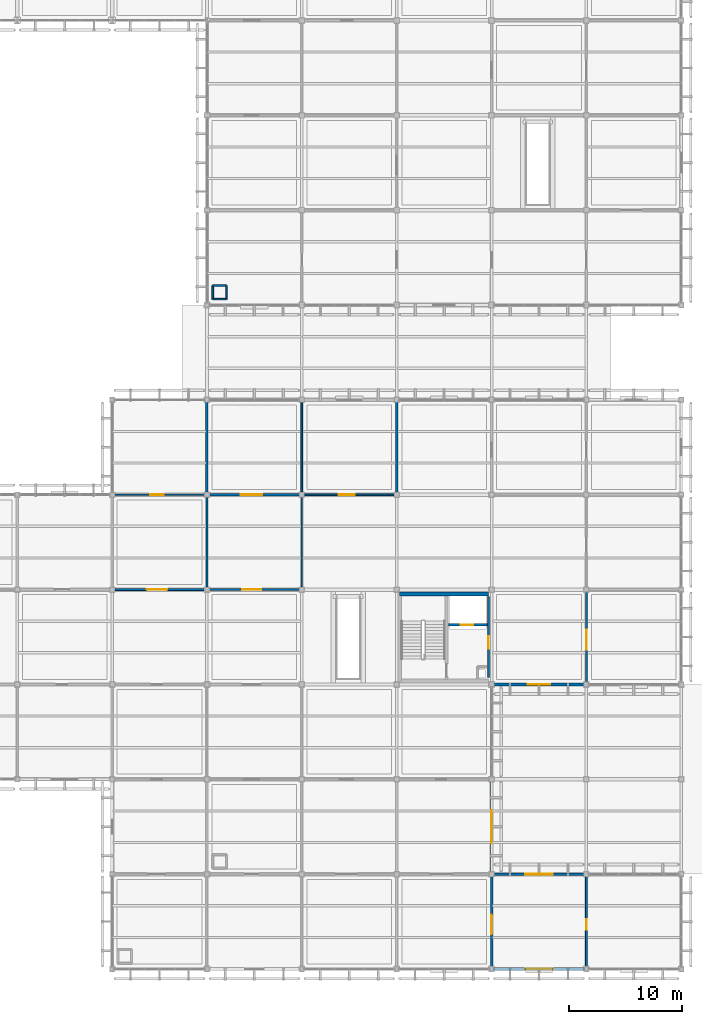
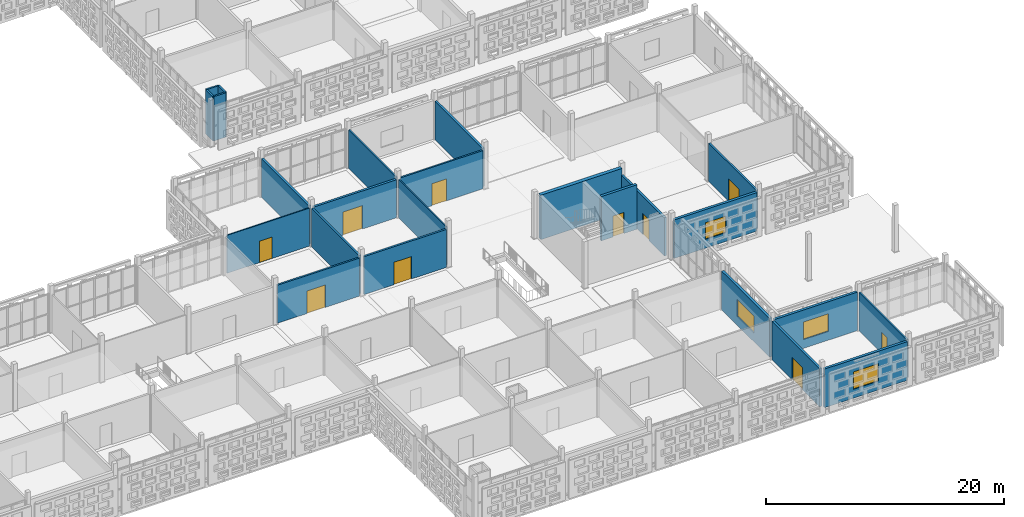
# One storey, part 125 of 203: 24 walls, 10 doors, 4 windows, 14 openings.
"""IFC4 building model written with IfcOpenShell, lengths in metres."""

from ifc_helpers import new_model, si_unit, direction, frame, frame_2d, origin, place, context, subcontext, project, spatial, rectangle, extrude, material, layer, layer_set, type_object, element, fill, save


model = new_model("IFC4")

# Units and contexts
model_context = context("Model", 3, precision=1e-05, world=origin(), true_north=direction((0.0, 1.0)))
body_context = subcontext(model_context, "Body", "Model", "MODEL_VIEW")
ifc_project = project(units=[si_unit("LENGTHUNIT", "METRE"), si_unit("AREAUNIT", "SQUARE_METRE"), si_unit("VOLUMEUNIT", "CUBIC_METRE"), si_unit("PLANEANGLEUNIT", "RADIAN"), si_unit("MASSUNIT", "GRAM", prefix="KILO")], contexts=[model_context])

# Site, building, storey
site_placement = place(None, origin())
site = spatial("IfcSite", under=ifc_project, at=site_placement, CompositionType="ELEMENT")
building_placement = place(site_placement, origin())
building = spatial("IfcBuilding", under=site, at=building_placement, Name="Varnapada Polytechnic", CompositionType="ELEMENT")
storey_placement = place(building_placement, frame((0.0, 0.0, 4.800048828125)))
storey = spatial("IfcBuildingStorey", under=building, at=storey_placement, Name="L01", CompositionType="ELEMENT", Elevation=4.800048828125)

# Wall, opening, door
ifc_material_1 = material(Name="Autoclaved Aerated Concrete Block AAC-600", Category="concrete")
ifc_layer_1 = layer(ifc_material_1, 0.199951171875)
ifc_layer_set_1 = layer_set([ifc_layer_1], Name="Autoclaved Aerated Concrete Block AAC-600")
wall_type_1 = type_object("IfcWallType", Name="Interior Wall IW-01", PredefinedType="PARTITIONING", material=ifc_layer_set_1)
wall_1_placement = place(storey_placement, frame((159.340087890625, 33.0, 0.0), z_axis=(0.0, 0.0, 1.0), x_axis=(0.0, -1.0, 0.0)))
wall_1 = element("IfcWall", 1, at=wall_1_placement, inside=storey, type_object=wall_type_1, Name="L01 C6 firefighting lobby east wall", PredefinedType="PARTITIONING", context=body_context, shape_type="SweptSolid", body=[
    extrude(rectangle(XDim=7.199951171875, YDim=0.199951171875, at=frame_2d((3.60009765625, 0.0))), origin(), (0.0, 0.0, 1.0), 3.919921875),
])
opening_1_placement = place(wall_1_placement, frame((3.550048828125, 0.0, 0.0)))
opening_1 = element("IfcOpeningElement", 2, at=opening_1_placement, cuts=wall_1, Name="Opening D-953", PredefinedType="OPENING", context=body_context, shape_type="SweptSolid", body=[
    extrude(rectangle(XDim=1.10009765625, YDim=2.14990234375, at=frame_2d((0.550048828125, 1.074951171875))), frame((0.0, 0.10986328125, 0.0), z_axis=(0.0, -1.0, 0.0), x_axis=(1.0, 0.0, 0.0)), (0.0, 0.0, 1.0), 0.219970703125),
])
ifc_material_2 = material(Name="Galvanized Steel Z275", Category="steel")
door_type_1 = type_object("IfcDoorType", Name="Interior Door ID-01", OperationType="NOTDEFINED", PredefinedType="DOOR", material=ifc_material_2)
door_1_placement = place(opening_1_placement, frame((1.10009765625, 0.0, 0.0), z_axis=(0.0, 0.0, 1.0), x_axis=(-1.0, 0.0, 0.0)))
door_1 = element("IfcDoor", 3, at=door_1_placement, inside=storey, type_object=door_type_1, Name="L01 C6 lobby fire door D-953", OperationType="SINGLE_SWING_LEFT", OverallHeight=2.14990234375, OverallWidth=1.10009765625, PredefinedType="DOOR", context=body_context, shape_type="SweptSolid", body=[
    extrude(rectangle(XDim=1.10009765625, YDim=2.14990234375, at=frame_2d((0.550048828125, 1.074951171875))), frame((0.0, 0.02490234375, 0.0), z_axis=(0.0, -1.0, 0.0), x_axis=(1.0, 0.0, 0.0)), (0.0, 0.0, 1.0), 0.050048828125),
])
fill(opening_1, door_1)

# Walls
ifc_layer_2 = layer(ifc_material_1, 0.14990234375)
ifc_layer_set_2 = layer_set([ifc_layer_2], Name="Autoclaved Aerated Concrete Block AAC-600")
wall_type_2 = type_object("IfcWallType", Name="Interior Wall IW-02", PredefinedType="PARTITIONING", material=ifc_layer_set_2)
wall_2_placement = place(storey_placement, frame((134.919921875, 59.320068359375, 0.0), z_axis=(0.0, 0.0, 1.0), x_axis=(1.0, 0.0, 0.0)))
element("IfcWall", 4, at=wall_2_placement, inside=storey, type_object=wall_type_2, Name="L01 enclosed service riser wall (17,8) S", PredefinedType="PARTITIONING", context=body_context, shape_type="SweptSolid", body=[
    extrude(rectangle(XDim=1.2001953125, YDim=0.14990234375, at=frame_2d((0.60009765625, 0.0))), origin(), (0.0, 0.0, 1.0), 4.550048828125),
])
wall_3_placement = place(storey_placement, frame((136.1201171875, 59.320068359375, 0.0), z_axis=(0.0, 0.0, 1.0), x_axis=(0.0, 1.0, 0.0)))
element("IfcWall", 5, at=wall_3_placement, inside=storey, type_object=wall_type_2, Name="L01 enclosed service riser wall (17,8) E", PredefinedType="PARTITIONING", context=body_context, shape_type="SweptSolid", body=[
    extrude(rectangle(XDim=1.199951171875, YDim=0.14990234375, at=frame_2d((0.60009765625, 0.0))), origin(), (0.0, 0.0, 1.0), 4.550048828125),
])
wall_4_placement = place(storey_placement, frame((136.1201171875, 60.52001953125, 0.0), z_axis=(0.0, 0.0, 1.0), x_axis=(-1.0, 0.0, 0.0)))
element("IfcWall", 6, at=wall_4_placement, inside=storey, type_object=wall_type_2, Name="L01 enclosed service riser wall (17,8) N", PredefinedType="PARTITIONING", context=body_context, shape_type="SweptSolid", body=[
    extrude(rectangle(XDim=1.2001953125, YDim=0.14990234375, at=frame_2d((0.60009765625, 0.0))), origin(), (0.0, 0.0, 1.0), 4.550048828125),
])
wall_5_placement = place(storey_placement, frame((134.919921875, 60.52001953125, 0.0), z_axis=(0.0, 0.0, 1.0), x_axis=(0.0, -1.0, 0.0)))
element("IfcWall", 7, at=wall_5_placement, inside=storey, type_object=wall_type_2, Name="L01 enclosed service riser wall (17,8) W", PredefinedType="PARTITIONING", context=body_context, shape_type="SweptSolid", body=[
    extrude(rectangle(XDim=1.199951171875, YDim=0.14990234375, at=frame_2d((0.60009765625, 0.0))), origin(), (0.0, 0.0, 1.0), 4.550048828125),
])

# Wall, opening, door
ifc_material_3 = material(Name="Cross-laminated timber CLT C24", Category="wood")
ifc_layer_3 = layer(ifc_material_3, 0.159912109375)
ifc_layer_set_3 = layer_set([ifc_layer_3], Name="Cross-laminated timber CLT C24")
wall_type_3 = type_object("IfcWallType", Name="Interior Wall IW-05", PredefinedType="PARTITIONING", material=ifc_layer_set_3)
wall_6_placement = place(storey_placement, frame((168.0, 0.199951171875, 0.0), z_axis=(0.0, 0.0, 1.0), x_axis=(0.0, 1.0, 0.0)))
wall_6 = element("IfcWall", 8, at=wall_6_placement, inside=storey, type_object=wall_type_3, Name="L01 interior partition IW-L01-19-00-V", PredefinedType="PARTITIONING", context=body_context, shape_type="SweptSolid", body=[
    extrude(rectangle(XDim=7.989990234375, YDim=0.159912109375, at=frame_2d((3.9951171875, 0.0))), origin(), (0.0, 0.0, 1.0), 3.919921875),
])
opening_2_placement = place(wall_6_placement, frame((3.27490234375, 0.0, 0.0)))
opening_2 = element("IfcOpeningElement", 9, at=opening_2_placement, cuts=wall_6, Name="Opening D-1072", PredefinedType="OPENING", context=body_context, shape_type="SweptSolid", body=[
    extrude(rectangle(XDim=0.949951171875, YDim=2.14990234375, at=frame_2d((0.47509765625, 1.074951171875))), frame((0.0, 0.08984375, 0.0), z_axis=(0.0, -1.0, 0.0), x_axis=(1.0, 0.0, 0.0)), (0.0, 0.0, 1.0), 0.179931640625),
])
ifc_material_4 = material(Name="Moisture-Resistant HPL Timber", Category="wood")
door_type_2 = type_object("IfcDoorType", Name="Interior Door ID-03", OperationType="NOTDEFINED", PredefinedType="DOOR", material=ifc_material_4)
door_2_placement = place(opening_2_placement, origin())
door_2 = element("IfcDoor", 10, at=door_2_placement, inside=storey, type_object=door_type_2, Name="L01 interior room door D-1072", OperationType="SINGLE_SWING_LEFT", OverallHeight=2.14990234375, OverallWidth=0.949951171875, PredefinedType="DOOR", context=body_context, shape_type="SweptSolid", body=[
    extrude(rectangle(XDim=0.949951171875, YDim=2.14990234375, at=frame_2d((0.47509765625, 1.074951171875))), frame((0.0, 0.02490234375, 0.0), z_axis=(0.0, -1.0, 0.0), x_axis=(1.0, 0.0, 0.0)), (0.0, 0.0, 1.0), 0.050048828125),
])
fill(opening_2, door_2)

ifc_material_5 = material(Name="Acoustic Double-Stud Studio Partition")
ifc_layer_4 = layer(ifc_material_5, 0.179931640625)
ifc_layer_set_4 = layer_set([ifc_layer_4], Name="Acoustic Double-Stud Studio Partition")
wall_type_4 = type_object("IfcWallType", Name="Interior Wall IW-06", PredefinedType="PARTITIONING", material=ifc_layer_set_4)
wall_7_placement = place(storey_placement, frame((168.0, 25.409912109375, 0.0), z_axis=(0.0, 0.0, 1.0), x_axis=(0.0, 1.0, 0.0)))
wall_7 = element("IfcWall", 11, at=wall_7_placement, inside=storey, type_object=wall_type_4, Name="L01 interior partition IW-L01-19-03-V", PredefinedType="PARTITIONING", context=body_context, shape_type="SweptSolid", body=[
    extrude(rectangle(XDim=7.97998046875, YDim=0.179931640625, at=frame_2d((3.989990234375, 0.0))), origin(), (0.0, 0.0, 1.0), 3.919921875),
])
opening_3_placement = place(wall_7_placement, frame((2.85009765625, 0.0, 0.0)))
opening_3 = element("IfcOpeningElement", 12, at=opening_3_placement, cuts=wall_7, Name="Opening D-1073", PredefinedType="OPENING", context=body_context, shape_type="SweptSolid", body=[
    extrude(rectangle(XDim=1.800048828125, YDim=2.300048828125, at=frame_2d((0.89990234375, 1.14990234375))), frame((0.0, 0.099853515625, 0.0), z_axis=(0.0, -1.0, 0.0), x_axis=(1.0, 0.0, 0.0)), (0.0, 0.0, 1.0), 0.199951171875),
])
ifc_material_6 = material(Name="Acoustic Double Timber Leaf", Category="wood")
door_type_3 = type_object("IfcDoorType", Name="Interior Door ID-04", OperationType="NOTDEFINED", PredefinedType="DOOR", material=ifc_material_6)
door_3_placement = place(opening_3_placement, frame((1.800048828125, 0.0, 0.0), z_axis=(0.0, 0.0, 1.0), x_axis=(-1.0, 0.0, 0.0)))
door_3 = element("IfcDoor", 13, at=door_3_placement, inside=storey, type_object=door_type_3, Name="L01 interior room door D-1073", OperationType="SINGLE_SWING_RIGHT", OverallHeight=2.300048828125, OverallWidth=1.800048828125, PredefinedType="DOOR", context=body_context, shape_type="SweptSolid", body=[
    extrude(rectangle(XDim=1.800048828125, YDim=2.300048828125, at=frame_2d((0.89990234375, 1.14990234375))), frame((0.0, 0.02490234375, 0.0), z_axis=(0.0, -1.0, 0.0), x_axis=(1.0, 0.0, 0.0)), (0.0, 0.0, 1.0), 0.050048828125),
])
fill(opening_3, door_3)

ifc_material_7 = material(Name="Double-Layer Fireboard Workshop Wall")
ifc_layer_5 = layer(ifc_material_7, 0.169921875)
ifc_layer_set_5 = layer_set([ifc_layer_5], Name="Double-Layer Fireboard Workshop Wall")
wall_type_5 = type_object("IfcWallType", Name="Interior Wall IW-10", PredefinedType="PARTITIONING", material=ifc_layer_set_5)
wall_8_placement = place(storey_placement, frame((126.219970703125, 33.60009765625, 0.0), z_axis=(0.0, 0.0, 1.0), x_axis=(1.0, 0.0, 0.0)))
wall_8 = element("IfcWall", 14, at=wall_8_placement, inside=storey, type_object=wall_type_5, Name="L01 interior partition IW-L01-15-03-H", PredefinedType="PARTITIONING", context=body_context, shape_type="SweptSolid", body=[
    extrude(rectangle(XDim=7.969970703125, YDim=0.169921875, at=frame_2d((3.98486328125, 0.0))), origin(), (0.0, 0.0, 1.0), 3.889892578125),
])
opening_4_placement = place(wall_8_placement, frame((2.85009765625, 0.0, 0.0)))
opening_4 = element("IfcOpeningElement", 15, at=opening_4_placement, cuts=wall_8, Name="Opening D-1039", PredefinedType="OPENING", context=body_context, shape_type="SweptSolid", body=[
    extrude(rectangle(XDim=1.800048828125, YDim=2.300048828125, at=frame_2d((0.89990234375, 1.14990234375))), frame((0.0, 0.094970703125, 0.0), z_axis=(0.0, -1.0, 0.0), x_axis=(1.0, 0.0, 0.0)), (0.0, 0.0, 1.0), 0.18994140625),
])
door_4_placement = place(opening_4_placement, origin())
door_4 = element("IfcDoor", 16, at=door_4_placement, inside=storey, type_object=door_type_3, Name="L01 interior room door D-1039", OperationType="SINGLE_SWING_RIGHT", OverallHeight=2.300048828125, OverallWidth=1.800048828125, PredefinedType="DOOR", context=body_context, shape_type="SweptSolid", body=[
    extrude(rectangle(XDim=1.800048828125, YDim=2.300048828125, at=frame_2d((0.89990234375, 1.14990234375))), frame((0.0, 0.02490234375, 0.0), z_axis=(0.0, -1.0, 0.0), x_axis=(1.0, 0.0, 0.0)), (0.0, 0.0, 1.0), 0.050048828125),
])
fill(opening_4, door_4)

# Wall
ifc_material_8 = material(Name="Insulated Masonry Plant Room Wall", Category="masonry")
ifc_layer_6 = layer(ifc_material_8, 0.18994140625)
ifc_layer_set_6 = layer_set([ifc_layer_6], Name="Insulated Masonry Plant Room Wall")
wall_type_6 = type_object("IfcWallType", Name="Interior Wall IW-11", PredefinedType="PARTITIONING", material=ifc_layer_set_6)
wall_9_placement = place(storey_placement, frame((134.39990234375, 33.81005859375, 0.0), z_axis=(0.0, 0.0, 1.0), x_axis=(0.0, 1.0, 0.0)))
element("IfcWall", 17, at=wall_9_placement, inside=storey, type_object=wall_type_6, Name="L01 interior partition IW-L01-15-04-V", PredefinedType="PARTITIONING", context=body_context, shape_type="SweptSolid", body=[
    extrude(rectangle(XDim=7.97998046875, YDim=0.18994140625, at=frame_2d((3.989990234375, 0.0))), origin(), (0.0, 0.0, 1.0), 3.919921875),
])

# Wall, opening, door
wall_10_placement = place(storey_placement, frame((134.610107421875, 33.60009765625, 0.0), z_axis=(0.0, 0.0, 1.0), x_axis=(1.0, 0.0, 0.0)))
wall_10 = element("IfcWall", 18, at=wall_10_placement, inside=storey, type_object=wall_type_6, Name="L01 interior partition IW-L01-16-03-H", PredefinedType="PARTITIONING", context=body_context, shape_type="SweptSolid", body=[
    extrude(rectangle(XDim=7.969970703125, YDim=0.18994140625, at=frame_2d((3.98486328125, 0.0))), origin(), (0.0, 0.0, 1.0), 3.889892578125),
])
opening_5_placement = place(wall_10_placement, frame((2.89990234375, 0.0, 0.0)))
opening_5 = element("IfcOpeningElement", 19, at=opening_5_placement, cuts=wall_10, Name="Opening D-1048", PredefinedType="OPENING", context=body_context, shape_type="SweptSolid", body=[
    extrude(rectangle(XDim=1.699951171875, YDim=2.300048828125, at=frame_2d((0.85009765625, 1.14990234375))), frame((0.0, 0.10498046875, 0.0), z_axis=(0.0, -1.0, 0.0), x_axis=(1.0, 0.0, 0.0)), (0.0, 0.0, 1.0), 0.2099609375),
])
door_type_4 = type_object("IfcDoorType", Name="Interior Door ID-13", OperationType="NOTDEFINED", PredefinedType="DOOR", material=ifc_material_6)
door_5_placement = place(opening_5_placement, origin())
door_5 = element("IfcDoor", 20, at=door_5_placement, inside=storey, type_object=door_type_4, Name="L01 interior room door D-1048", OperationType="SINGLE_SWING_LEFT", OverallHeight=2.300048828125, OverallWidth=1.699951171875, PredefinedType="DOOR", context=body_context, shape_type="SweptSolid", body=[
    extrude(rectangle(XDim=1.699951171875, YDim=2.300048828125, at=frame_2d((0.85009765625, 1.14990234375))), frame((0.0, 0.02490234375, 0.0), z_axis=(0.0, -1.0, 0.0), x_axis=(1.0, 0.0, 0.0)), (0.0, 0.0, 1.0), 0.050048828125),
])
fill(opening_5, door_5)

ifc_material_9 = material(Name="Timber-Stud Studio Critique Partition", Category="wood")
ifc_layer_7 = layer(ifc_material_9, 0.114990234375)
ifc_layer_set_7 = layer_set([ifc_layer_7], Name="Timber-Stud Studio Critique Partition")
wall_type_7 = type_object("IfcWallType", Name="Interior Wall IW-12", PredefinedType="PARTITIONING", material=ifc_layer_set_7)
wall_11_placement = place(storey_placement, frame((126.219970703125, 42.0, 0.0), z_axis=(0.0, 0.0, 1.0), x_axis=(1.0, 0.0, 0.0)))
wall_11 = element("IfcWall", 21, at=wall_11_placement, inside=storey, type_object=wall_type_7, Name="L01 interior partition IW-L01-15-04-H", PredefinedType="PARTITIONING", context=body_context, shape_type="SweptSolid", body=[
    extrude(rectangle(XDim=7.969970703125, YDim=0.114990234375, at=frame_2d((3.98486328125, 0.0))), origin(), (0.0, 0.0, 1.0), 3.889892578125),
])
opening_6_placement = place(wall_11_placement, frame((3.14990234375, 0.0, 0.0)))
opening_6 = element("IfcOpeningElement", 22, at=opening_6_placement, cuts=wall_11, Name="Opening D-1040", PredefinedType="OPENING", context=body_context, shape_type="SweptSolid", body=[
    extrude(rectangle(XDim=1.199951171875, YDim=2.199951171875, at=frame_2d((0.60009765625, 1.10009765625))), frame((0.0, 0.0673828125, 0.0), z_axis=(0.0, -1.0, 0.0), x_axis=(1.0, 0.0, 0.0)), (0.0, 0.0, 1.0), 0.135009765625),
])
ifc_material_10 = material(Name="Solid Teak Hardwood Timber", Category="wood")
door_type_5 = type_object("IfcDoorType", Name="Interior Door ID-05", OperationType="NOTDEFINED", PredefinedType="DOOR", material=ifc_material_10)
door_6_placement = place(opening_6_placement, frame((1.199951171875, 0.0, 0.0), z_axis=(0.0, 0.0, 1.0), x_axis=(-1.0, 0.0, 0.0)))
door_6 = element("IfcDoor", 23, at=door_6_placement, inside=storey, type_object=door_type_5, Name="L01 interior room door D-1040", OperationType="SINGLE_SWING_LEFT", OverallHeight=2.199951171875, OverallWidth=1.199951171875, PredefinedType="DOOR", context=body_context, shape_type="SweptSolid", body=[
    extrude(rectangle(XDim=1.199951171875, YDim=2.199951171875, at=frame_2d((0.60009765625, 1.10009765625))), frame((0.0, 0.02490234375, 0.0), z_axis=(0.0, -1.0, 0.0), x_axis=(1.0, 0.0, 0.0)), (0.0, 0.0, 1.0), 0.050048828125),
])
fill(opening_6, door_6)

# Walls
wall_12_placement = place(storey_placement, frame((142.800048828125, 33.820068359375, 0.0), z_axis=(0.0, 0.0, 1.0), x_axis=(0.0, 1.0, 0.0)))
element("IfcWall", 24, at=wall_12_placement, inside=storey, type_object=wall_type_7, Name="L01 interior partition IW-L01-16-04-V", PredefinedType="PARTITIONING", context=body_context, shape_type="SweptSolid", body=[
    extrude(rectangle(XDim=7.9599609375, YDim=0.114990234375, at=frame_2d((3.97998046875, 0.0))), origin(), (0.0, 0.0, 1.0), 3.919921875),
])
ifc_material_11 = material(Name="Heavy Acoustic Auditorium Baffle Wall")
ifc_layer_8 = layer(ifc_material_11, 0.219970703125)
ifc_layer_set_8 = layer_set([ifc_layer_8], Name="Heavy Acoustic Auditorium Baffle Wall")
wall_type_8 = type_object("IfcWallType", Name="Interior Wall IW-13", PredefinedType="PARTITIONING", material=ifc_layer_set_8)
wall_13_placement = place(storey_placement, frame((134.39990234375, 42.2099609375, 0.0), z_axis=(0.0, 0.0, 1.0), x_axis=(0.0, 1.0, 0.0)))
element("IfcWall", 25, at=wall_13_placement, inside=storey, type_object=wall_type_8, Name="L01 interior partition IW-L01-15-05-V", PredefinedType="PARTITIONING", context=body_context, shape_type="SweptSolid", body=[
    extrude(rectangle(XDim=7.97998046875, YDim=0.219970703125, at=frame_2d((3.989990234375, 0.0))), origin(), (0.0, 0.0, 1.0), 3.919921875),
])

# Wall, opening, door
wall_14_placement = place(storey_placement, frame((134.610107421875, 42.0, 0.0), z_axis=(0.0, 0.0, 1.0), x_axis=(1.0, 0.0, 0.0)))
wall_14 = element("IfcWall", 26, at=wall_14_placement, inside=storey, type_object=wall_type_8, Name="L01 interior partition IW-L01-16-04-H", PredefinedType="PARTITIONING", context=body_context, shape_type="SweptSolid", body=[
    extrude(rectangle(XDim=7.969970703125, YDim=0.219970703125, at=frame_2d((3.98486328125, 0.0))), origin(), (0.0, 0.0, 1.0), 3.889892578125),
])
opening_7_placement = place(wall_14_placement, frame((2.800048828125, 0.0, 0.0)))
opening_7 = element("IfcOpeningElement", 27, at=opening_7_placement, cuts=wall_14, Name="Opening D-1049", PredefinedType="OPENING", context=body_context, shape_type="SweptSolid", body=[
    extrude(rectangle(XDim=1.89990234375, YDim=2.39990234375, at=frame_2d((0.949951171875, 1.199951171875))), frame((0.0, 0.119873046875, 0.0), z_axis=(0.0, -1.0, 0.0), x_axis=(1.0, 0.0, 0.0)), (0.0, 0.0, 1.0), 0.239990234375),
])
ifc_material_12 = material(Name="Heavy Workshop Double Steel Door", Category="steel")
door_type_6 = type_object("IfcDoorType", Name="Interior Door ID-14", OperationType="NOTDEFINED", PredefinedType="DOOR", material=ifc_material_12)
door_7_placement = place(opening_7_placement, frame((1.89990234375, 0.0, 0.0), z_axis=(0.0, 0.0, 1.0), x_axis=(-1.0, 0.0, 0.0)))
door_7 = element("IfcDoor", 28, at=door_7_placement, inside=storey, type_object=door_type_6, Name="L01 interior room door D-1049", OperationType="SINGLE_SWING_RIGHT", OverallHeight=2.39990234375, OverallWidth=1.89990234375, PredefinedType="DOOR", context=body_context, shape_type="SweptSolid", body=[
    extrude(rectangle(XDim=1.89990234375, YDim=2.39990234375, at=frame_2d((0.949951171875, 1.199951171875))), frame((0.0, 0.02490234375, 0.0), z_axis=(0.0, -1.0, 0.0), x_axis=(1.0, 0.0, 0.0)), (0.0, 0.0, 1.0), 0.050048828125),
])
fill(opening_7, door_7)

wall_15_placement = place(storey_placement, frame((159.60009765625, 0.199951171875, 0.0), z_axis=(0.0, 0.0, 1.0), x_axis=(0.0, 1.0, 0.0)))
wall_15 = element("IfcWall", 29, at=wall_15_placement, inside=storey, type_object=wall_type_8, Name="L01 interior partition IW-L01-18-00-V", PredefinedType="PARTITIONING", context=body_context, shape_type="SweptSolid", body=[
    extrude(rectangle(XDim=7.97998046875, YDim=0.219970703125, at=frame_2d((3.989990234375, 0.0))), origin(), (0.0, 0.0, 1.0), 3.919921875),
])
opening_8_placement = place(wall_15_placement, frame((2.89990234375, 0.0, 0.0)))
opening_8 = element("IfcOpeningElement", 30, at=opening_8_placement, cuts=wall_15, Name="Opening D-1065", PredefinedType="OPENING", context=body_context, shape_type="SweptSolid", body=[
    extrude(rectangle(XDim=1.699951171875, YDim=2.300048828125, at=frame_2d((0.85009765625, 1.14990234375))), frame((0.0, 0.119873046875, 0.0), z_axis=(0.0, -1.0, 0.0), x_axis=(1.0, 0.0, 0.0)), (0.0, 0.0, 1.0), 0.239990234375),
])
door_8_placement = place(opening_8_placement, origin())
door_8 = element("IfcDoor", 31, at=door_8_placement, inside=storey, type_object=door_type_4, Name="L01 interior room door D-1065", OperationType="SINGLE_SWING_RIGHT", OverallHeight=2.300048828125, OverallWidth=1.699951171875, PredefinedType="DOOR", context=body_context, shape_type="SweptSolid", body=[
    extrude(rectangle(XDim=1.699951171875, YDim=2.300048828125, at=frame_2d((0.85009765625, 1.14990234375))), frame((0.0, 0.02490234375, 0.0), z_axis=(0.0, -1.0, 0.0), x_axis=(1.0, 0.0, 0.0)), (0.0, 0.0, 1.0), 0.050048828125),
])
fill(opening_8, door_8)

# Wall
ifc_material_13 = material(Name="Ceramic-Tiled Wet Laboratory Wall")
ifc_layer_9 = layer(ifc_material_13, 0.14501953125)
ifc_layer_set_9 = layer_set([ifc_layer_9], Name="Ceramic-Tiled Wet Laboratory Wall")
wall_type_9 = type_object("IfcWallType", Name="Interior Wall IW-14", PredefinedType="PARTITIONING", material=ifc_layer_set_9)
wall_16_placement = place(storey_placement, frame((142.800048828125, 42.219970703125, 0.0), z_axis=(0.0, 0.0, 1.0), x_axis=(0.0, 1.0, 0.0)))
element("IfcWall", 32, at=wall_16_placement, inside=storey, type_object=wall_type_9, Name="L01 interior partition IW-L01-16-05-V", PredefinedType="PARTITIONING", context=body_context, shape_type="SweptSolid", body=[
    extrude(rectangle(XDim=7.9599609375, YDim=0.14501953125, at=frame_2d((3.97998046875, 0.0))), origin(), (0.0, 0.0, 1.0), 3.919921875),
])

# Wall, opening, door
ifc_material_14 = material(Name="Perforated Timber-Lined Seminar Wall", Category="wood")
ifc_layer_10 = layer(ifc_material_14, 0.155029296875)
ifc_layer_set_10 = layer_set([ifc_layer_10], Name="Perforated Timber-Lined Seminar Wall")
wall_type_10 = type_object("IfcWallType", Name="Interior Wall IW-15", PredefinedType="PARTITIONING", material=ifc_layer_set_10)
wall_17_placement = place(storey_placement, frame((143.02001953125, 42.0, 0.0), z_axis=(0.0, 0.0, 1.0), x_axis=(1.0, 0.0, 0.0)))
wall_17 = element("IfcWall", 33, at=wall_17_placement, inside=storey, type_object=wall_type_10, Name="L01 interior partition IW-L01-17-04-H", PredefinedType="PARTITIONING", context=body_context, shape_type="SweptSolid", body=[
    extrude(rectangle(XDim=7.969970703125, YDim=0.155029296875, at=frame_2d((3.98486328125, 0.0))), origin(), (0.0, 0.0, 1.0), 3.919921875),
])
opening_9_placement = place(wall_17_placement, frame((3.050048828125, 0.0, 0.0)))
opening_9 = element("IfcOpeningElement", 34, at=opening_9_placement, cuts=wall_17, Name="Opening D-1058", PredefinedType="OPENING", context=body_context, shape_type="SweptSolid", body=[
    extrude(rectangle(XDim=1.39990234375, YDim=2.25, at=frame_2d((0.699951171875, 1.125))), frame((0.0, 0.08740234375, 0.0), z_axis=(0.0, -1.0, 0.0), x_axis=(1.0, 0.0, 0.0)), (0.0, 0.0, 1.0), 0.175048828125),
])
ifc_material_15 = material(Name="Powder-Coated Aluminium 6063-T6", Category="aluminium")
door_type_7 = type_object("IfcDoorType", Name="Interior Door ID-06", OperationType="NOTDEFINED", PredefinedType="DOOR", material=ifc_material_15)
door_9_placement = place(opening_9_placement, frame((1.39990234375, 0.0, 0.0), z_axis=(0.0, 0.0, 1.0), x_axis=(-1.0, 0.0, 0.0)))
door_9 = element("IfcDoor", 35, at=door_9_placement, inside=storey, type_object=door_type_7, Name="L01 interior room door D-1058", OperationType="SINGLE_SWING_LEFT", OverallHeight=2.25, OverallWidth=1.39990234375, PredefinedType="DOOR", context=body_context, shape_type="SweptSolid", body=[
    extrude(rectangle(XDim=1.39990234375, YDim=2.25, at=frame_2d((0.699951171875, 1.125))), frame((0.0, 0.02490234375, 0.0), z_axis=(0.0, -1.0, 0.0), x_axis=(1.0, 0.0, 0.0)), (0.0, 0.0, 1.0), 0.050048828125),
])
fill(opening_9, door_9)

# Walls
ifc_material_16 = material(Name="Heavy Masonry Workshop Partition", Category="masonry")
ifc_layer_11 = layer(ifc_material_16, 0.2099609375)
ifc_layer_set_11 = layer_set([ifc_layer_11], Name="Heavy Masonry Workshop Partition")
wall_type_11 = type_object("IfcWallType", Name="Interior Wall IW-16", PredefinedType="PARTITIONING", material=ifc_layer_set_11)
wall_18_placement = place(storey_placement, frame((151.199951171875, 42.2099609375, 0.0), z_axis=(0.0, 0.0, 1.0), x_axis=(0.0, 1.0, 0.0)))
element("IfcWall", 36, at=wall_18_placement, inside=storey, type_object=wall_type_11, Name="L01 interior partition IW-L01-17-05-V", PredefinedType="PARTITIONING", context=body_context, shape_type="SweptSolid", body=[
    extrude(rectangle(XDim=7.97998046875, YDim=0.2099609375, at=frame_2d((3.989990234375, 0.0))), origin(), (0.0, 0.0, 1.0), 3.919921875),
])
ifc_material_17 = material(Name="Concrete C40/50", Category="concrete")
ifc_layer_12 = layer(ifc_material_17, 0.35009765625)
ifc_layer_set_12 = layer_set([ifc_layer_12], Name="Concrete C40/50")
wall_type_12 = type_object("IfcWallType", Name="Interior Wall SW-01", PredefinedType="SHEAR", material=ifc_layer_set_12)
wall_19_placement = place(storey_placement, frame((151.465087890625, 33.219970703125, 0.0), z_axis=(0.0, 0.0, 1.0), x_axis=(1.0, 0.0, 0.0)))
element("IfcWall", 37, at=wall_19_placement, inside=storey, type_object=wall_type_12, Name="L01 C6 core north shear wall", PredefinedType="SHEAR", context=body_context, shape_type="SweptSolid", body=[
    extrude(rectangle(XDim=7.875, YDim=0.35009765625, at=frame_2d((3.9375, 0.0))), origin(), (0.0, 0.0, 1.0), 4.550048828125),
])

# Wall, opening, door
ifc_layer_13 = layer(ifc_material_17, 0.25)
ifc_layer_set_13 = layer_set([ifc_layer_13], Name="Concrete C40/50")
wall_type_13 = type_object("IfcWallType", Name="Interior Wall SW-05", PredefinedType="SHEAR", material=ifc_layer_set_13)
wall_20_placement = place(storey_placement, frame((155.780029296875, 30.47998046875, 0.0), z_axis=(0.0, 0.0, 1.0), x_axis=(1.0, 0.0, 0.0)))
wall_20 = element("IfcWall", 38, at=wall_20_placement, inside=storey, type_object=wall_type_13, Name="L01 C6 lift shaft front wall", PredefinedType="SHEAR", context=body_context, shape_type="SweptSolid", body=[
    extrude(rectangle(XDim=3.4599609375, YDim=0.25, at=frame_2d((1.72998046875, 0.0))), origin(), (0.0, 0.0, 1.0), 4.550048828125),
])
opening_10_placement = place(wall_20_placement, frame((1.10009765625, 0.0, 0.0)))
opening_10 = element("IfcOpeningElement", 39, at=opening_10_placement, cuts=wall_20, Name="Opening LD-017", PredefinedType="OPENING", context=body_context, shape_type="SweptSolid", body=[
    extrude(rectangle(XDim=1.10009765625, YDim=2.14990234375, at=frame_2d((0.550048828125, 1.074951171875))), frame((0.0, 0.135009765625, 0.0), z_axis=(0.0, -1.0, 0.0), x_axis=(1.0, 0.0, 0.0)), (0.0, 0.0, 1.0), 0.27001953125),
])
ifc_material_18 = material(Name="Brushed Stainless Steel 316", Category="steel")
door_type_8 = type_object("IfcDoorType", Name="Interior Door LD-01", OperationType="NOTDEFINED", PredefinedType="DOOR", material=ifc_material_18)
door_10_placement = place(opening_10_placement, origin())
door_10 = element("IfcDoor", 40, at=door_10_placement, inside=storey, type_object=door_type_8, Name="L01 LFT-06 sliding lift landing door LD-017", OperationType="DOUBLE_DOOR_SLIDING", OverallHeight=2.14990234375, OverallWidth=1.10009765625, PredefinedType="DOOR", context=body_context, shape_type="SweptSolid", body=[
    extrude(rectangle(XDim=1.10009765625, YDim=2.14990234375, at=frame_2d((0.550048828125, 1.074951171875))), frame((0.0, 0.02490234375, 0.0), z_axis=(0.0, -1.0, 0.0), x_axis=(1.0, 0.0, 0.0)), (0.0, 0.0, 1.0), 0.050048828125),
])
fill(opening_10, door_10)

# Wall, opening, window
ifc_material_19 = material(Name="Precast concrete C40/50", Category="concrete")
ifc_layer_14 = layer(ifc_material_19, 0.25)
ifc_layer_set_14 = layer_set([ifc_layer_14], Name="Precast concrete C40/50")
wall_type_14 = type_object("IfcWallType", Name="Wall EW-05", PredefinedType="SOLIDWALL", material=ifc_layer_set_14)
wall_21_placement = place(storey_placement, frame((159.60009765625, 16.60009765625, 0.0), z_axis=(0.0, 0.0, 1.0), x_axis=(0.0, -1.0, 0.0)))
wall_21 = element("IfcWall", 41, at=wall_21_placement, inside=storey, type_object=wall_type_14, Name="L01 exterior wall EW-05 (125)", PredefinedType="SOLIDWALL", context=body_context, shape_type="SweptSolid", body=[
    extrude(rectangle(XDim=8.0, YDim=0.25, at=frame_2d((4.0, 0.0))), origin(), (0.0, 0.0, 1.0), 3.9599609375),
])
opening_11_placement = place(wall_21_placement, frame((2.550048828125, 0.0, 0.89990234375)))
opening_11 = element("IfcOpeningElement", 42, at=opening_11_placement, cuts=wall_21, Name="Opening WN-36", PredefinedType="OPENING", context=body_context, shape_type="SweptSolid", body=[
    extrude(rectangle(XDim=2.89990234375, YDim=1.75, at=frame_2d((1.449951171875, 0.875))), frame((0.0, 0.135009765625, 0.0), z_axis=(0.0, -1.0, 0.0), x_axis=(1.0, 0.0, 0.0)), (0.0, 0.0, 1.0), 0.27001953125),
])
ifc_material_20 = material(Name="Double low-E laminated glass", Category="glass")
window_type_1 = type_object("IfcWindowType", Name="Window WN-36", PartitioningType="SINGLE_PANEL", PredefinedType="WINDOW", material=ifc_material_20)
window_1_placement = place(opening_11_placement, origin())
window_1 = element("IfcWindow", 43, at=window_1_placement, inside=storey, type_object=window_type_1, Name="L01 window WN-36 (94)", OverallHeight=1.75, OverallWidth=2.89990234375, PartitioningType="SINGLE_PANEL", PredefinedType="WINDOW", context=body_context, shape_type="SweptSolid", body=[
    extrude(rectangle(XDim=2.89990234375, YDim=1.75, at=frame_2d((1.449951171875, 0.875))), frame((0.0, 0.030029296875, 0.0), z_axis=(0.0, -1.0, 0.0), x_axis=(1.0, 0.0, 0.0)), (0.0, 0.0, 1.0), 0.06005859375),
])
fill(opening_11, window_1)

wall_22_placement = place(storey_placement, frame((167.820068359375, 0.0, 0.0), z_axis=(0.0, 0.0, 1.0), x_axis=(-1.0, 0.0, 0.0)))
wall_22 = element("IfcWall", 44, at=wall_22_placement, inside=storey, type_object=wall_type_14, Name="L01 exterior wall EW-05 (130)", PredefinedType="SOLIDWALL", context=body_context, shape_type="SweptSolid", body=[
    extrude(rectangle(XDim=8.0400390625, YDim=0.25, at=frame_2d((4.02001953125, 0.0))), origin(), (0.0, 0.0, 1.0), 3.9599609375),
])
opening_12_placement = place(wall_22_placement, frame((2.820068359375, 0.0, 0.89990234375)))
opening_12 = element("IfcOpeningElement", 45, at=opening_12_placement, cuts=wall_22, Name="Opening WN-02", PredefinedType="OPENING", context=body_context, shape_type="SweptSolid", body=[
    extrude(rectangle(XDim=2.39990234375, YDim=1.800048828125, at=frame_2d((1.199951171875, 0.89990234375))), frame((0.0, 0.135009765625, 0.0), z_axis=(0.0, -1.0, 0.0), x_axis=(1.0, 0.0, 0.0)), (0.0, 0.0, 1.0), 0.27001953125),
])
window_type_2 = type_object("IfcWindowType", Name="Window WN-02", PartitioningType="SINGLE_PANEL", PredefinedType="WINDOW", material=ifc_material_20)
window_2_placement = place(opening_12_placement, origin())
window_2 = element("IfcWindow", 46, at=window_2_placement, inside=storey, type_object=window_type_2, Name="L01 window WN-02 (97)", OverallHeight=1.800048828125, OverallWidth=2.39990234375, PartitioningType="SINGLE_PANEL", PredefinedType="WINDOW", context=body_context, shape_type="SweptSolid", body=[
    extrude(rectangle(XDim=2.39990234375, YDim=1.800048828125, at=frame_2d((1.199951171875, 0.89990234375))), frame((0.0, 0.030029296875, 0.0), z_axis=(0.0, -1.0, 0.0), x_axis=(1.0, 0.0, 0.0)), (0.0, 0.0, 1.0), 0.06005859375),
])
fill(opening_12, window_2)

wall_23_placement = place(storey_placement, frame((159.800048828125, 8.39990234375, 0.0), z_axis=(0.0, 0.0, 1.0), x_axis=(1.0, 0.0, 0.0)))
wall_23 = element("IfcWall", 47, at=wall_23_placement, inside=storey, type_object=wall_type_14, Name="L01 exterior wall EW-05 (131)", PredefinedType="SOLIDWALL", context=body_context, shape_type="SweptSolid", body=[
    extrude(rectangle(XDim=8.010009765625, YDim=0.25, at=frame_2d((4.0048828125, 0.0))), origin(), (0.0, 0.0, 1.0), 3.929931640625),
])
opening_13_placement = place(wall_23_placement, frame((2.804931640625, 0.0, 0.89990234375)))
opening_13 = element("IfcOpeningElement", 48, at=opening_13_placement, cuts=wall_23, Name="Opening WN-02", PredefinedType="OPENING", context=body_context, shape_type="SweptSolid", body=[
    extrude(rectangle(XDim=2.39990234375, YDim=1.800048828125, at=frame_2d((1.199951171875, 0.89990234375))), frame((0.0, 0.135009765625, 0.0), z_axis=(0.0, -1.0, 0.0), x_axis=(1.0, 0.0, 0.0)), (0.0, 0.0, 1.0), 0.27001953125),
])
window_3_placement = place(opening_13_placement, origin())
window_3 = element("IfcWindow", 49, at=window_3_placement, inside=storey, type_object=window_type_2, Name="L01 window WN-02 (98)", OverallHeight=1.800048828125, OverallWidth=2.39990234375, PartitioningType="SINGLE_PANEL", PredefinedType="WINDOW", context=body_context, shape_type="SweptSolid", body=[
    extrude(rectangle(XDim=2.39990234375, YDim=1.800048828125, at=frame_2d((1.199951171875, 0.89990234375))), frame((0.0, 0.030029296875, 0.0), z_axis=(0.0, -1.0, 0.0), x_axis=(1.0, 0.0, 0.0)), (0.0, 0.0, 1.0), 0.06005859375),
])
fill(opening_13, window_3)

wall_24_placement = place(storey_placement, frame((167.81005859375, 25.199951171875, 0.0), z_axis=(0.0, 0.0, 1.0), x_axis=(-1.0, 0.0, 0.0)))
wall_24 = element("IfcWall", 50, at=wall_24_placement, inside=storey, type_object=wall_type_14, Name="L01 exterior wall EW-05 (132)", PredefinedType="SOLIDWALL", context=body_context, shape_type="SweptSolid", body=[
    extrude(rectangle(XDim=8.010009765625, YDim=0.25, at=frame_2d((4.0048828125, 0.0))), origin(), (0.0, 0.0, 1.0), 3.949951171875),
])
opening_14_placement = place(wall_24_placement, frame((3.0048828125, 0.0, 0.89990234375)))
opening_14 = element("IfcOpeningElement", 51, at=opening_14_placement, cuts=wall_24, Name="Opening WN-11", PredefinedType="OPENING", context=body_context, shape_type="SweptSolid", body=[
    extrude(rectangle(XDim=2.0, YDim=1.699951171875, at=frame_2d((1.0, 0.85009765625))), frame((0.0, 0.135009765625, 0.0), z_axis=(0.0, -1.0, 0.0), x_axis=(1.0, 0.0, 0.0)), (0.0, 0.0, 1.0), 0.27001953125),
])
window_type_3 = type_object("IfcWindowType", Name="Window WN-11", PartitioningType="SINGLE_PANEL", PredefinedType="WINDOW", material=ifc_material_20)
window_4_placement = place(opening_14_placement, origin())
window_4 = element("IfcWindow", 52, at=window_4_placement, inside=storey, type_object=window_type_3, Name="L01 window WN-11 (99)", OverallHeight=1.699951171875, OverallWidth=2.0, PartitioningType="SINGLE_PANEL", PredefinedType="WINDOW", context=body_context, shape_type="SweptSolid", body=[
    extrude(rectangle(XDim=2.0, YDim=1.699951171875, at=frame_2d((1.0, 0.85009765625))), frame((0.0, 0.030029296875, 0.0), z_axis=(0.0, -1.0, 0.0), x_axis=(1.0, 0.0, 0.0)), (0.0, 0.0, 1.0), 0.06005859375),
])
fill(opening_14, window_4)

save(model, "model.ifc")
